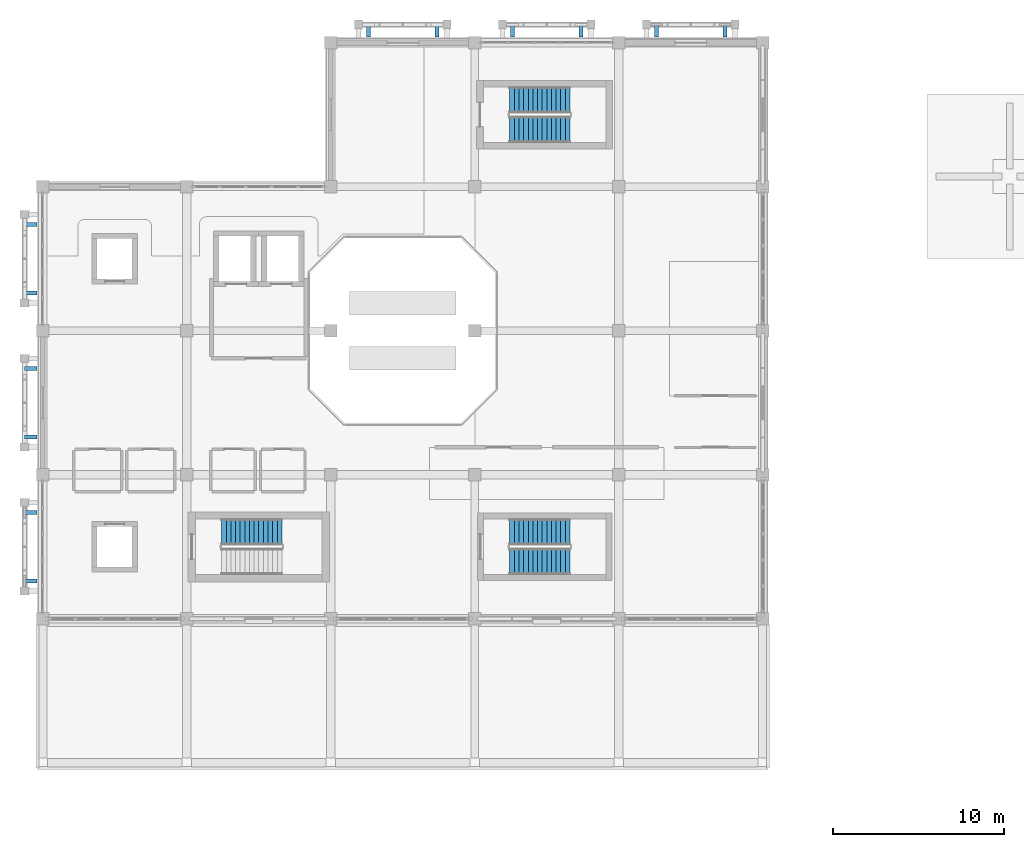
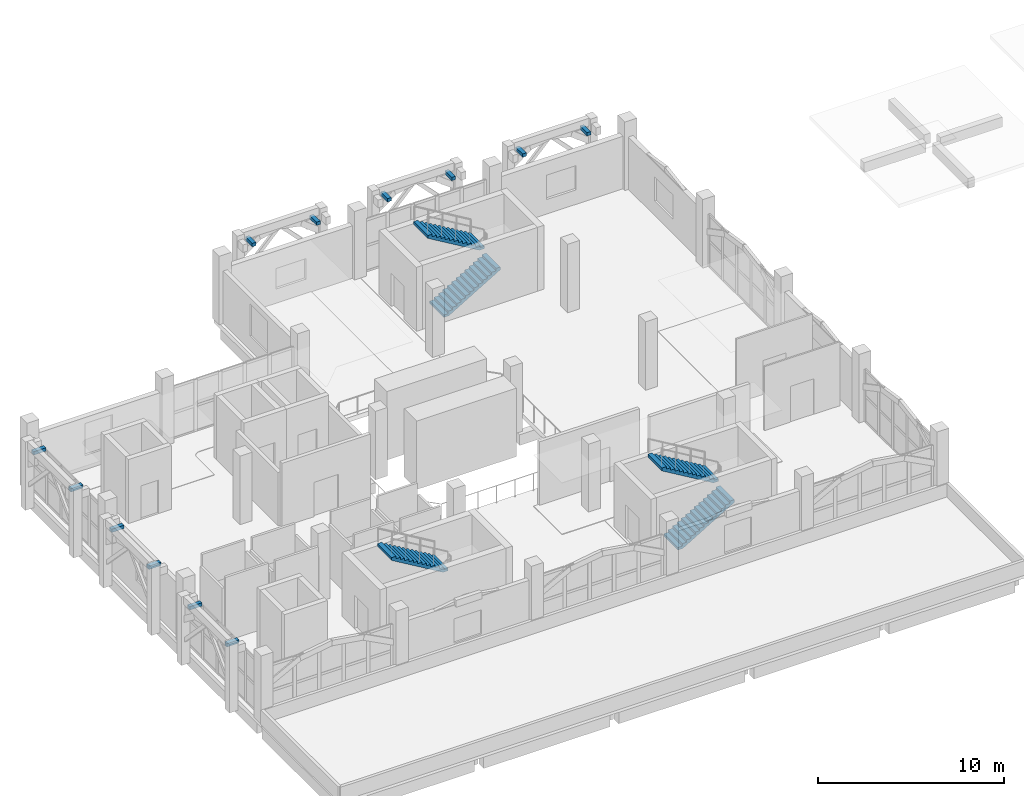
# One storey, part 25 of 30: 12 discrete accessories, 5 stair flights, 3 elements without a shape of their own.
"""IFC4 building model written with IfcOpenShell, lengths in metres."""

from ifc_helpers import new_model, si_unit, direction, frame, origin, origin_2d, place, context, subcontext, project, spatial, polyline, rectangle, outline, extrude, material, type_object, element, aggregate, save


model = new_model("IFC4")

# Units and contexts
model_context = context("Model", 3, precision=1e-05, world=origin(), true_north=direction((0.0, 1.0)))
body_context = subcontext(model_context, "Body", "Model", "MODEL_VIEW")
ifc_project = project(units=[si_unit("LENGTHUNIT", "METRE"), si_unit("AREAUNIT", "SQUARE_METRE"), si_unit("VOLUMEUNIT", "CUBIC_METRE"), si_unit("PLANEANGLEUNIT", "RADIAN"), si_unit("MASSUNIT", "GRAM", prefix="KILO")], contexts=[model_context])

# Site, building, storey
site_placement = place(None, origin())
site = spatial("IfcSite", under=ifc_project, at=site_placement, CompositionType="ELEMENT")
building_placement = place(site_placement, origin())
building = spatial("IfcBuilding", under=site, at=building_placement, Name="Xazarin Passage Department Store", CompositionType="ELEMENT")
storey_placement = place(building_placement, frame((0.0, 0.0, 23.39990234375)))
storey = spatial("IfcBuildingStorey", under=building, at=storey_placement, Name="L05", CompositionType="ELEMENT", Elevation=23.39990234375)

# Stair, stair flight
ifc_material_1 = material(Name="Concrete C35/45", Category="concrete")
stair_type = type_object("IfcStairType", Name="ARC-ST-TYP", PredefinedType="HALF_TURN_STAIR", material=ifc_material_1)
stair_1_placement = place(storey_placement, origin())
stair_1 = element("IfcStair", 1, at=stair_1_placement, inside=storey, type_object=stair_type, Name="L05 Exit Stair ST1", PredefinedType="HALF_TURN_STAIR")
stair_flight_type = type_object("IfcStairFlightType", Name="ARC-SFL-TYP", PredefinedType="STRAIGHT", material=ifc_material_1)
stair_flight_1_placement = place(storey_placement, frame((13.949951171875, 81.4599609375, 2.25), z_axis=(0.0, 0.0, 1.0), x_axis=(-1.0, 0.0, 0.0)))
stair_flight_1 = element("IfcStairFlight", 2, at=stair_flight_1_placement, type_object=stair_flight_type, Name="ST1 flight 2", NumberOfRisers=14, NumberOfTreads=13, PredefinedType="STRAIGHT", RiserHeight=0.160714286, TreadLength=0.27, context=body_context, shape_type="SweptSolid", body=[
    extrude(outline(polyline([(0.0, 0.0), (0.0, 0.16064453125), (0.27001953125, 0.16064453125), (0.27001953125, 0.321533203125), (0.5400390625, 0.321533203125), (0.5400390625, 0.482177734375), (0.81005859375, 0.482177734375), (0.81005859375, 0.642822265625), (1.080078125, 0.642822265625), (1.080078125, 0.803466796875), (1.35009765625, 0.803466796875), (1.35009765625, 0.96435546875), (1.6201171875, 0.96435546875), (1.6201171875, 1.125), (1.889892578125, 1.125), (1.889892578125, 1.28564453125), (2.159912109375, 1.28564453125), (2.159912109375, 1.446533203125), (2.429931640625, 1.446533203125), (2.429931640625, 1.607177734375), (2.699951171875, 1.607177734375), (2.699951171875, 1.767822265625), (2.969970703125, 1.767822265625), (2.969970703125, 1.928466796875), (3.239990234375, 1.928466796875), (3.239990234375, 2.08935546875), (3.510009765625, 2.08935546875), (3.510009765625, 2.25), (3.510009765625, 1.903076171875), (0.312744140625, 0.0), (0.0, 0.0)])), frame((0.0, 0.760009765625, 0.0), z_axis=(0.0, -1.0, 0.0), x_axis=(1.0, 0.0, 0.0)), (0.0, 0.0, 1.0), 1.52001953125),
])
aggregate(stair_1, [stair_flight_1])

# Stair, stair flights
stair_2_placement = place(storey_placement, origin())
stair_2 = element("IfcStair", 3, at=stair_2_placement, inside=storey, type_object=stair_type, Name="L05 Exit Stair ST2", PredefinedType="HALF_TURN_STAIR")
stair_flight_2_placement = place(storey_placement, frame((27.239990234375, 104.93994140625, 0.0), z_axis=(0.0, 0.0, 1.0), x_axis=(1.0, 0.0, 0.0)))
stair_flight_2 = element("IfcStairFlight", 4, at=stair_flight_2_placement, type_object=stair_flight_type, Name="ST2 flight 1", NumberOfRisers=14, NumberOfTreads=13, PredefinedType="STRAIGHT", RiserHeight=0.160714286, TreadLength=0.27, context=body_context, shape_type="SweptSolid", body=[
    extrude(outline(polyline([(0.0, 0.0), (0.0, 0.16064453125), (0.27001953125, 0.16064453125), (0.27001953125, 0.321533203125), (0.5400390625, 0.321533203125), (0.5400390625, 0.482177734375), (0.81005859375, 0.482177734375), (0.81005859375, 0.642822265625), (1.080078125, 0.642822265625), (1.080078125, 0.803466796875), (1.35009765625, 0.803466796875), (1.35009765625, 0.96435546875), (1.6201171875, 0.96435546875), (1.6201171875, 1.125), (1.889892578125, 1.125), (1.889892578125, 1.28564453125), (2.159912109375, 1.28564453125), (2.159912109375, 1.446533203125), (2.429931640625, 1.446533203125), (2.429931640625, 1.607177734375), (2.699951171875, 1.607177734375), (2.699951171875, 1.767822265625), (2.969970703125, 1.767822265625), (2.969970703125, 1.928466796875), (3.239990234375, 1.928466796875), (3.239990234375, 2.08935546875), (3.510009765625, 2.08935546875), (3.510009765625, 2.25), (3.510009765625, 1.903076171875), (0.312744140625, 0.0), (0.0, 0.0)])), frame((0.0, 0.760009765625, 0.0), z_axis=(0.0, -1.0, 0.0), x_axis=(1.0, 0.0, 0.0)), (0.0, 0.0, 1.0), 1.52001953125),
])
stair_flight_3_placement = place(storey_placement, frame((30.75, 106.659912109375, 2.25), z_axis=(0.0, 0.0, 1.0), x_axis=(-1.0, 0.0, 0.0)))
stair_flight_3 = element("IfcStairFlight", 5, at=stair_flight_3_placement, type_object=stair_flight_type, Name="ST2 flight 2", NumberOfRisers=14, NumberOfTreads=13, PredefinedType="STRAIGHT", RiserHeight=0.160714286, TreadLength=0.27, context=body_context, shape_type="SweptSolid", body=[
    extrude(outline(polyline([(0.0, 0.0), (0.0, 0.16064453125), (0.27001953125, 0.16064453125), (0.27001953125, 0.321533203125), (0.5400390625, 0.321533203125), (0.5400390625, 0.482177734375), (0.81005859375, 0.482177734375), (0.81005859375, 0.642822265625), (1.080078125, 0.642822265625), (1.080078125, 0.803466796875), (1.35009765625, 0.803466796875), (1.35009765625, 0.96435546875), (1.6201171875, 0.96435546875), (1.6201171875, 1.125), (1.889892578125, 1.125), (1.889892578125, 1.28564453125), (2.159912109375, 1.28564453125), (2.159912109375, 1.446533203125), (2.429931640625, 1.446533203125), (2.429931640625, 1.607177734375), (2.699951171875, 1.607177734375), (2.699951171875, 1.767822265625), (2.969970703125, 1.767822265625), (2.969970703125, 1.928466796875), (3.239990234375, 1.928466796875), (3.239990234375, 2.08935546875), (3.510009765625, 2.08935546875), (3.510009765625, 2.25), (3.510009765625, 1.903076171875), (0.312744140625, 0.0), (0.0, 0.0)])), frame((0.0, 0.760009765625, 0.0), z_axis=(0.0, -1.0, 0.0), x_axis=(1.0, 0.0, 0.0)), (0.0, 0.0, 1.0), 1.52001953125),
])
aggregate(stair_2, [stair_flight_2, stair_flight_3])

stair_3_placement = place(storey_placement, origin())
stair_3 = element("IfcStair", 6, at=stair_3_placement, inside=storey, type_object=stair_type, Name="L05 Exit Stair ST3", PredefinedType="HALF_TURN_STAIR")
stair_flight_4_placement = place(storey_placement, frame((27.239990234375, 79.739990234375, 0.0), z_axis=(0.0, 0.0, 1.0), x_axis=(1.0, 0.0, 0.0)))
stair_flight_4 = element("IfcStairFlight", 7, at=stair_flight_4_placement, type_object=stair_flight_type, Name="ST3 flight 1", NumberOfRisers=14, NumberOfTreads=13, PredefinedType="STRAIGHT", RiserHeight=0.160714286, TreadLength=0.27, context=body_context, shape_type="SweptSolid", body=[
    extrude(outline(polyline([(0.0, 0.0), (0.0, 0.16064453125), (0.27001953125, 0.16064453125), (0.27001953125, 0.321533203125), (0.5400390625, 0.321533203125), (0.5400390625, 0.482177734375), (0.81005859375, 0.482177734375), (0.81005859375, 0.642822265625), (1.080078125, 0.642822265625), (1.080078125, 0.803466796875), (1.35009765625, 0.803466796875), (1.35009765625, 0.96435546875), (1.6201171875, 0.96435546875), (1.6201171875, 1.125), (1.889892578125, 1.125), (1.889892578125, 1.28564453125), (2.159912109375, 1.28564453125), (2.159912109375, 1.446533203125), (2.429931640625, 1.446533203125), (2.429931640625, 1.607177734375), (2.699951171875, 1.607177734375), (2.699951171875, 1.767822265625), (2.969970703125, 1.767822265625), (2.969970703125, 1.928466796875), (3.239990234375, 1.928466796875), (3.239990234375, 2.08935546875), (3.510009765625, 2.08935546875), (3.510009765625, 2.25), (3.510009765625, 1.903076171875), (0.312744140625, 0.0), (0.0, 0.0)])), frame((0.0, 0.760009765625, 0.0), z_axis=(0.0, -1.0, 0.0), x_axis=(1.0, 0.0, 0.0)), (0.0, 0.0, 1.0), 1.52001953125),
])
stair_flight_5_placement = place(storey_placement, frame((30.75, 81.4599609375, 2.25), z_axis=(0.0, 0.0, 1.0), x_axis=(-1.0, 0.0, 0.0)))
stair_flight_5 = element("IfcStairFlight", 8, at=stair_flight_5_placement, type_object=stair_flight_type, Name="ST3 flight 2", NumberOfRisers=14, NumberOfTreads=13, PredefinedType="STRAIGHT", RiserHeight=0.160714286, TreadLength=0.27, context=body_context, shape_type="SweptSolid", body=[
    extrude(outline(polyline([(0.0, 0.0), (0.0, 0.16064453125), (0.27001953125, 0.16064453125), (0.27001953125, 0.321533203125), (0.5400390625, 0.321533203125), (0.5400390625, 0.482177734375), (0.81005859375, 0.482177734375), (0.81005859375, 0.642822265625), (1.080078125, 0.642822265625), (1.080078125, 0.803466796875), (1.35009765625, 0.803466796875), (1.35009765625, 0.96435546875), (1.6201171875, 0.96435546875), (1.6201171875, 1.125), (1.889892578125, 1.125), (1.889892578125, 1.28564453125), (2.159912109375, 1.28564453125), (2.159912109375, 1.446533203125), (2.429931640625, 1.446533203125), (2.429931640625, 1.607177734375), (2.699951171875, 1.607177734375), (2.699951171875, 1.767822265625), (2.969970703125, 1.767822265625), (2.969970703125, 1.928466796875), (3.239990234375, 1.928466796875), (3.239990234375, 2.08935546875), (3.510009765625, 2.08935546875), (3.510009765625, 2.25), (3.510009765625, 1.903076171875), (0.312744140625, 0.0), (0.0, 0.0)])), frame((0.0, 0.760009765625, 0.0), z_axis=(0.0, -1.0, 0.0), x_axis=(1.0, 0.0, 0.0)), (0.0, 0.0, 1.0), 1.52001953125),
])
aggregate(stair_3, [stair_flight_4, stair_flight_5])

# Discrete accessories
ifc_material_2 = material(Name="Steel S355", Category="steel")
discrete_accessory_type = type_object("IfcDiscreteAccessoryType", Name="ARC-BRK-S355-B", PredefinedType="BRACKET", material=ifc_material_2)
for number, where, z_axis, x_axis, name in (
    (9, (19.0, 110.699951171875, 3.84033203125), (0.0, 0.0, 1.0), (1.0, 0.0, 0.0), "L05 V1 Spandrel Tie Bracket 0011"),
    (10, (23.0, 110.699951171875, 3.84033203125), (0.0, 0.0, 1.0), (1.0, 0.0, 0.0), "L05 V1 Spandrel Tie Bracket 0012"),
    (11, (27.39990234375, 110.699951171875, 3.84033203125), (0.0, 0.0, 1.0), (1.0, 0.0, 0.0), "L05 V1 Spandrel Tie Bracket 0027"),
    (12, (31.39990234375, 110.699951171875, 3.84033203125), (0.0, 0.0, 1.0), (1.0, 0.0, 0.0), "L05 V1 Spandrel Tie Bracket 0028"),
    (13, (35.800048828125, 110.699951171875, 3.84033203125), (0.0, 0.0, 1.0), (1.0, 0.0, 0.0), "L05 V1 Spandrel Tie Bracket 0043"),
    (14, (39.800048828125, 110.699951171875, 3.84033203125), (0.0, 0.0, 1.0), (1.0, 0.0, 0.0), "L05 V1 Spandrel Tie Bracket 0044"),
    (15, (-0.699951171875, 78.60009765625, 3.84033203125), (0.0, 0.0, 1.0), (0.0, 1.0, 0.0), "L05 V1 Spandrel Tie Bracket 0103"),
    (16, (-0.699951171875, 82.60009765625, 3.84033203125), (0.0, 0.0, 1.0), (0.0, 1.0, 0.0), "L05 V1 Spandrel Tie Bracket 0104"),
    (17, (-0.699951171875, 87.0, 3.84033203125), (0.0, 0.0, 1.0), (0.0, 1.0, 0.0), "L05 V1 Spandrel Tie Bracket 0119"),
    (18, (-0.699951171875, 91.0, 3.84033203125), (0.0, 0.0, 1.0), (0.0, 1.0, 0.0), "L05 V1 Spandrel Tie Bracket 0120"),
    (19, (-0.699951171875, 95.39990234375, 3.84033203125), (0.0, 0.0, 1.0), (0.0, 1.0, 0.0), "L05 V1 Spandrel Tie Bracket 0135"),
    (20, (-0.699951171875, 99.39990234375, 3.84033203125), (0.0, 0.0, 1.0), (0.0, 1.0, 0.0), "L05 V1 Spandrel Tie Bracket 0136"),
):
    element("IfcDiscreteAccessory", number, at=place(storey_placement, frame(where, z_axis=z_axis, x_axis=x_axis)), inside=storey, type_object=discrete_accessory_type, Name=name, PredefinedType="BRACKET", context=body_context, shape_type="SweptSolid", body=[
        extrude(rectangle(XDim=0.239990234375, YDim=0.75, at=origin_2d()), origin(), (0.0, 0.0, 1.0), 0.219970703125),
    ])

save(model, "model.ifc")
